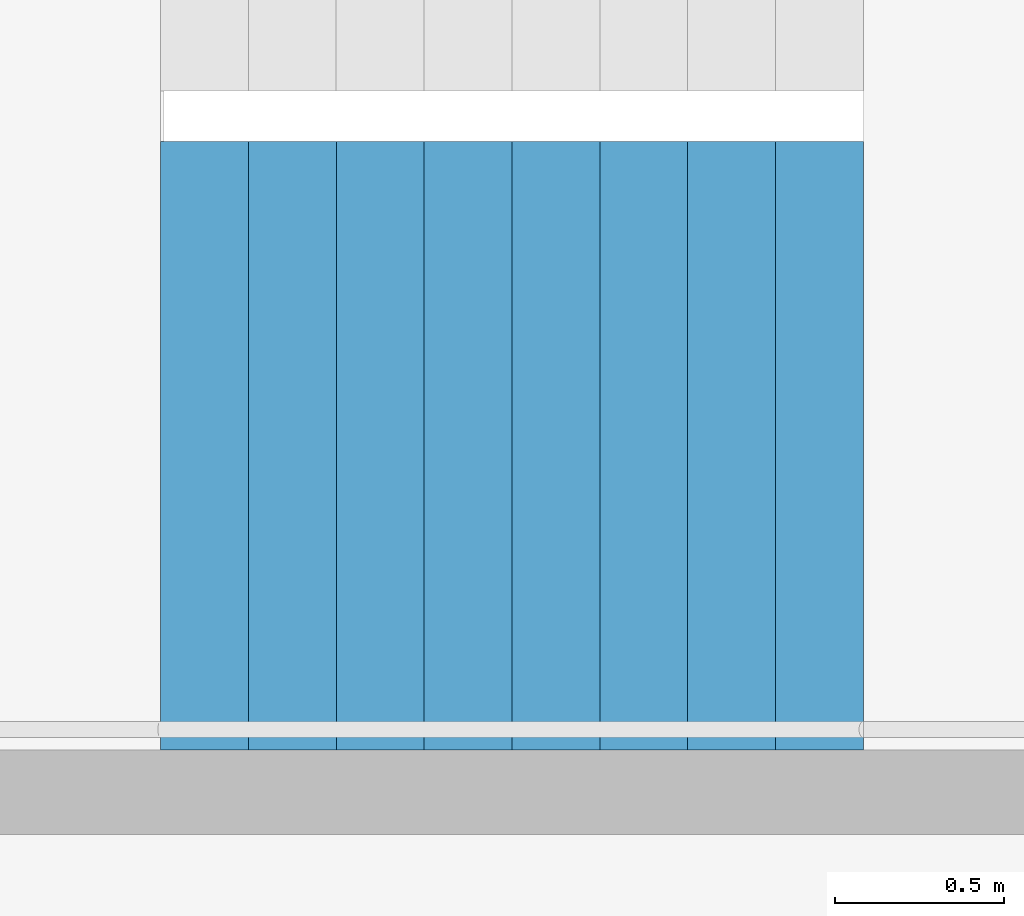
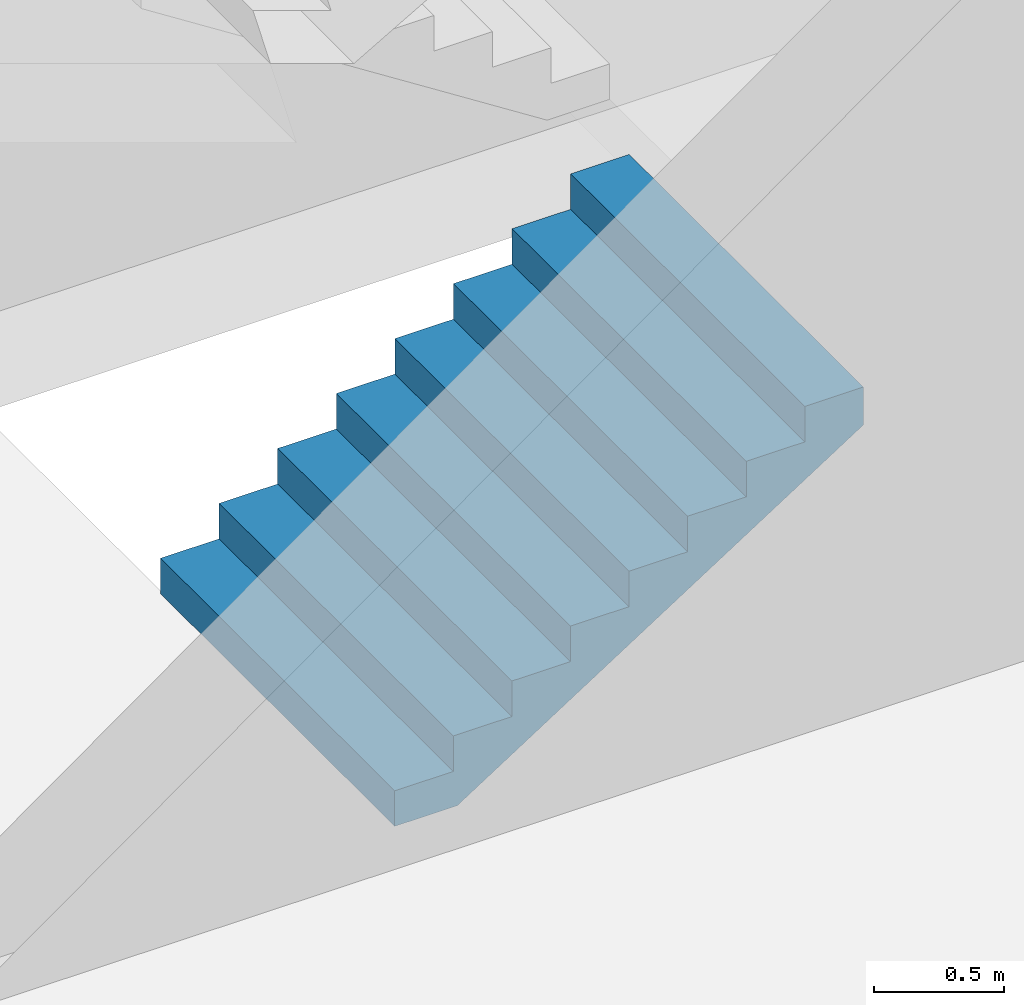
# One storey, part 22 of 35: 1 stair flight, 1 element without a shape of its own.
"""IFC4 building model written with IfcOpenShell, lengths in metres."""

from ifc_helpers import new_model, si_unit, direction, frame, origin, place, context, subcontext, project, spatial, triangles, material, type_object, element, aggregate, save


model = new_model("IFC4")

# Units and contexts
model_context = context("Model", 3, precision=1e-05, world=origin(), true_north=direction((0.0, 1.0)))
body_context = subcontext(model_context, "Body", "Model", "MODEL_VIEW")
ifc_project = project(units=[si_unit("LENGTHUNIT", "METRE"), si_unit("AREAUNIT", "SQUARE_METRE"), si_unit("VOLUMEUNIT", "CUBIC_METRE"), si_unit("PLANEANGLEUNIT", "RADIAN"), si_unit("MASSUNIT", "GRAM", prefix="KILO")], contexts=[model_context])

# Site, building, storey
site_placement = place(None, origin())
site = spatial("IfcSite", under=ifc_project, at=site_placement, CompositionType="ELEMENT")
building_placement = place(site_placement, origin())
building = spatial("IfcBuilding", under=site, at=building_placement, Name="Hakoniwa Tower and Hamabe Station Hall", CompositionType="ELEMENT")
storey_placement = place(building_placement, frame((0.0, 0.0, 264.60009765625)))
storey = spatial("IfcBuildingStorey", under=building, at=storey_placement, Name="L75", CompositionType="ELEMENT", Elevation=264.60009765625)

# Stair, stair flight
ifc_material_1 = material(Name="Concrete C40", Category="concrete")
stair_type = type_object("IfcStairType", Name="ESCAPE STAIR 1800", PredefinedType="HALF_TURN_STAIR", material=ifc_material_1)
stair_placement = place(storey_placement, origin())
stair = element("IfcStair", 1, at=stair_placement, inside=storey, type_object=stair_type, Name="Escape stair ST-1 L75", PredefinedType="HALF_TURN_STAIR")
ifc_material_2 = material(Name="Concrete C40", Category="concrete")
stair_flight_type = type_object("IfcStairFlightType", Name="STAIR FLIGHT 1800", PredefinedType="STRAIGHT", material=ifc_material_2)
stair_flight_placement = place(storey_placement, frame((-24.39990234375, 4.64990234375, 0.0), z_axis=(0.0, 0.0, 1.0), x_axis=(1.0, 0.0, 0.0)))
stair_flight = element("IfcStairFlight", 2, at=stair_flight_placement, type_object=stair_flight_type, Name="ST-1 flight 1", NumberOfRisers=9, NumberOfTreads=8, PredefinedType="STRAIGHT", RiserHeight=0.166666667, TreadLength=0.26, context=body_context, shape_type="Tessellation", body=[
    triangles([(0.0, 0.89990234375, 0.0), (0.260009765625, 0.89990234375, 0.0), (0.27783203125, 0.89990234375, 0.0), (0.52001953125, 0.89990234375, 0.1552734375), (0.780029296875, 0.89990234375, 0.322021484375), (1.0400390625, 0.89990234375, 0.488525390625), (1.300048828125, 0.89990234375, 0.6552734375), (1.56005859375, 0.89990234375, 0.822021484375), (1.820068359375, 0.89990234375, 0.988525390625), (2.080078125, 0.89990234375, 1.1552734375), (2.080078125, 0.89990234375, 1.333251953125), (1.820068359375, 0.89990234375, 1.333251953125), (1.820068359375, 0.89990234375, 1.166748046875), (1.56005859375, 0.89990234375, 1.166748046875), (1.56005859375, 0.89990234375, 1.0), (1.300048828125, 0.89990234375, 1.0), (1.300048828125, 0.89990234375, 0.833251953125), (1.0400390625, 0.89990234375, 0.833251953125), (1.0400390625, 0.89990234375, 0.666748046875), (0.780029296875, 0.89990234375, 0.666748046875), (0.780029296875, 0.89990234375, 0.5), (0.52001953125, 0.89990234375, 0.5), (0.52001953125, 0.89990234375, 0.333251953125), (0.27783203125, 0.89990234375, 0.333251953125), (0.260009765625, 0.89990234375, 0.333251953125), (0.260009765625, 0.89990234375, 0.166748046875), (0.0, 0.89990234375, 0.166748046875), (0.0, 0.06005859375, 0.0), (0.260009765625, 0.06005859375, 0.0), (0.27783203125, 0.06005859375, 0.0), (0.52001953125, 0.06005859375, 0.1552734375), (0.780029296875, 0.06005859375, 0.322021484375), (1.0400390625, 0.06005859375, 0.488525390625), (1.300048828125, 0.06005859375, 0.6552734375), (1.56005859375, 0.06005859375, 0.822021484375), (1.820068359375, 0.06005859375, 0.988525390625), (2.080078125, 0.06005859375, 1.1552734375), (2.080078125, 0.06005859375, 1.333251953125), (1.820068359375, 0.06005859375, 1.333251953125), (1.820068359375, 0.06005859375, 1.166748046875), (1.56005859375, 0.06005859375, 1.166748046875), (1.56005859375, 0.06005859375, 1.0), (1.300048828125, 0.06005859375, 1.0), (1.300048828125, 0.06005859375, 0.833251953125), (1.0400390625, 0.06005859375, 0.833251953125), (1.0400390625, 0.06005859375, 0.666748046875), (0.780029296875, 0.06005859375, 0.666748046875), (0.780029296875, 0.06005859375, 0.5), (0.52001953125, 0.06005859375, 0.5), (0.52001953125, 0.06005859375, 0.333251953125), (0.27783203125, 0.06005859375, 0.333251953125), (0.260009765625, 0.06005859375, 0.333251953125), (0.260009765625, 0.06005859375, 0.166748046875), (0.0, 0.06005859375, 0.166748046875), (0.0, 0.04296875, 0.0), (0.260009765625, 0.04296875, 0.0), (0.27783203125, 0.04296875, 0.0), (0.52001953125, 0.04296875, 0.1552734375), (0.780029296875, 0.04296875, 0.322021484375), (1.0400390625, 0.04296875, 0.488525390625), (1.300048828125, 0.04296875, 0.6552734375), (1.56005859375, 0.04296875, 0.822021484375), (1.820068359375, 0.04296875, 0.988525390625), (2.080078125, 0.04296875, 1.1552734375), (2.080078125, 0.04296875, 1.333251953125), (1.820068359375, 0.04296875, 1.333251953125), (1.820068359375, 0.04296875, 1.166748046875), (1.56005859375, 0.04296875, 1.166748046875), (1.56005859375, 0.04296875, 1.0), (1.300048828125, 0.04296875, 1.0), (1.300048828125, 0.04296875, 0.833251953125), (1.0400390625, 0.04296875, 0.833251953125), (1.0400390625, 0.04296875, 0.666748046875), (0.780029296875, 0.04296875, 0.666748046875), (0.780029296875, 0.04296875, 0.5), (0.52001953125, 0.04296875, 0.5), (0.52001953125, 0.04296875, 0.333251953125), (0.27783203125, 0.04296875, 0.333251953125), (0.260009765625, 0.04296875, 0.333251953125), (0.260009765625, 0.04296875, 0.166748046875), (0.0, 0.04296875, 0.166748046875), (0.0, 0.025634765625, 0.0), (0.260009765625, 0.025634765625, 0.0), (0.27783203125, 0.025634765625, 0.0), (0.52001953125, 0.025634765625, 0.1552734375), (0.780029296875, 0.025634765625, 0.322021484375), (1.0400390625, 0.025634765625, 0.488525390625), (1.300048828125, 0.025634765625, 0.6552734375), (1.56005859375, 0.025634765625, 0.822021484375), (1.820068359375, 0.025634765625, 0.988525390625), (2.080078125, 0.025634765625, 1.1552734375), (2.080078125, 0.025634765625, 1.333251953125), (1.820068359375, 0.025634765625, 1.333251953125), (1.820068359375, 0.025634765625, 1.166748046875), (1.56005859375, 0.025634765625, 1.166748046875), (1.56005859375, 0.025634765625, 1.0), (1.300048828125, 0.025634765625, 1.0), (1.300048828125, 0.025634765625, 0.833251953125), (1.0400390625, 0.025634765625, 0.833251953125), (1.0400390625, 0.025634765625, 0.666748046875), (0.780029296875, 0.025634765625, 0.666748046875), (0.780029296875, 0.025634765625, 0.5), (0.52001953125, 0.025634765625, 0.5), (0.52001953125, 0.025634765625, 0.333251953125), (0.27783203125, 0.025634765625, 0.333251953125), (0.260009765625, 0.025634765625, 0.333251953125), (0.260009765625, 0.025634765625, 0.166748046875), (0.0, 0.025634765625, 0.166748046875), (0.0, 0.008544921875, 0.0), (0.260009765625, 0.008544921875, 0.0), (0.27783203125, 0.008544921875, 0.0), (0.52001953125, 0.008544921875, 0.1552734375), (0.780029296875, 0.008544921875, 0.322021484375), (1.0400390625, 0.008544921875, 0.488525390625), (1.300048828125, 0.008544921875, 0.6552734375), (1.56005859375, 0.008544921875, 0.822021484375), (1.820068359375, 0.008544921875, 0.988525390625), (2.080078125, 0.008544921875, 1.1552734375), (2.080078125, 0.008544921875, 1.333251953125), (1.820068359375, 0.008544921875, 1.333251953125), (1.820068359375, 0.008544921875, 1.166748046875), (1.56005859375, 0.008544921875, 1.166748046875), (1.56005859375, 0.008544921875, 1.0), (1.300048828125, 0.008544921875, 1.0), (1.300048828125, 0.008544921875, 0.833251953125), (1.0400390625, 0.008544921875, 0.833251953125), (1.0400390625, 0.008544921875, 0.666748046875), (0.780029296875, 0.008544921875, 0.666748046875), (0.780029296875, 0.008544921875, 0.5), (0.52001953125, 0.008544921875, 0.5), (0.52001953125, 0.008544921875, 0.333251953125), (0.27783203125, 0.008544921875, 0.333251953125), (0.260009765625, 0.008544921875, 0.333251953125), (0.260009765625, 0.008544921875, 0.166748046875), (0.0, 0.008544921875, 0.166748046875), (0.0, -0.008544921875, 0.0), (0.260009765625, -0.008544921875, 0.0), (0.27783203125, -0.008544921875, 0.0), (0.52001953125, -0.008544921875, 0.1552734375), (0.780029296875, -0.008544921875, 0.322021484375), (1.0400390625, -0.008544921875, 0.488525390625), (1.300048828125, -0.008544921875, 0.6552734375), (1.56005859375, -0.008544921875, 0.822021484375), (1.820068359375, -0.008544921875, 0.988525390625), (2.080078125, -0.008544921875, 1.1552734375), (2.080078125, -0.008544921875, 1.333251953125), (1.820068359375, -0.008544921875, 1.333251953125), (1.820068359375, -0.008544921875, 1.166748046875), (1.56005859375, -0.008544921875, 1.166748046875), (1.56005859375, -0.008544921875, 1.0), (1.300048828125, -0.008544921875, 1.0), (1.300048828125, -0.008544921875, 0.833251953125), (1.0400390625, -0.008544921875, 0.833251953125), (1.0400390625, -0.008544921875, 0.666748046875), (0.780029296875, -0.008544921875, 0.666748046875), (0.780029296875, -0.008544921875, 0.5), (0.52001953125, -0.008544921875, 0.5), (0.52001953125, -0.008544921875, 0.333251953125), (0.27783203125, -0.008544921875, 0.333251953125), (0.260009765625, -0.008544921875, 0.333251953125), (0.260009765625, -0.008544921875, 0.166748046875), (0.0, -0.008544921875, 0.166748046875), (0.0, -0.025634765625, 0.0), (0.260009765625, -0.025634765625, 0.0), (0.27783203125, -0.025634765625, 0.0), (0.52001953125, -0.025634765625, 0.1552734375), (0.780029296875, -0.025634765625, 0.322021484375), (1.0400390625, -0.025634765625, 0.488525390625), (1.300048828125, -0.025634765625, 0.6552734375), (1.56005859375, -0.025634765625, 0.822021484375), (1.820068359375, -0.025634765625, 0.988525390625), (2.080078125, -0.025634765625, 1.1552734375), (2.080078125, -0.025634765625, 1.333251953125), (1.820068359375, -0.025634765625, 1.333251953125), (1.820068359375, -0.025634765625, 1.166748046875), (1.56005859375, -0.025634765625, 1.166748046875), (1.56005859375, -0.025634765625, 1.0), (1.300048828125, -0.025634765625, 1.0), (1.300048828125, -0.025634765625, 0.833251953125), (1.0400390625, -0.025634765625, 0.833251953125), (1.0400390625, -0.025634765625, 0.666748046875), (0.780029296875, -0.025634765625, 0.666748046875), (0.780029296875, -0.025634765625, 0.5), (0.52001953125, -0.025634765625, 0.5), (0.52001953125, -0.025634765625, 0.333251953125), (0.27783203125, -0.025634765625, 0.333251953125), (0.260009765625, -0.025634765625, 0.333251953125), (0.260009765625, -0.025634765625, 0.166748046875), (0.0, -0.025634765625, 0.166748046875), (0.0, -0.04296875, 0.0), (0.260009765625, -0.04296875, 0.0), (0.27783203125, -0.04296875, 0.0), (0.52001953125, -0.04296875, 0.1552734375), (0.780029296875, -0.04296875, 0.322021484375), (1.0400390625, -0.04296875, 0.488525390625), (1.300048828125, -0.04296875, 0.6552734375), (1.56005859375, -0.04296875, 0.822021484375), (1.820068359375, -0.04296875, 0.988525390625), (2.080078125, -0.04296875, 1.1552734375), (2.080078125, -0.04296875, 1.333251953125), (1.820068359375, -0.04296875, 1.333251953125), (1.820068359375, -0.04296875, 1.166748046875), (1.56005859375, -0.04296875, 1.166748046875), (1.56005859375, -0.04296875, 1.0), (1.300048828125, -0.04296875, 1.0), (1.300048828125, -0.04296875, 0.833251953125), (1.0400390625, -0.04296875, 0.833251953125), (1.0400390625, -0.04296875, 0.666748046875), (0.780029296875, -0.04296875, 0.666748046875), (0.780029296875, -0.04296875, 0.5), (0.52001953125, -0.04296875, 0.5), (0.52001953125, -0.04296875, 0.333251953125), (0.27783203125, -0.04296875, 0.333251953125), (0.260009765625, -0.04296875, 0.333251953125), (0.260009765625, -0.04296875, 0.166748046875), (0.0, -0.04296875, 0.166748046875), (0.0, -0.06005859375, 0.0), (0.260009765625, -0.06005859375, 0.0), (0.27783203125, -0.06005859375, 0.0), (0.52001953125, -0.06005859375, 0.1552734375), (0.780029296875, -0.06005859375, 0.322021484375), (1.0400390625, -0.06005859375, 0.488525390625), (1.300048828125, -0.06005859375, 0.6552734375), (1.56005859375, -0.06005859375, 0.822021484375), (1.820068359375, -0.06005859375, 0.988525390625), (2.080078125, -0.06005859375, 1.1552734375), (2.080078125, -0.06005859375, 1.333251953125), (1.820068359375, -0.06005859375, 1.333251953125), (1.820068359375, -0.06005859375, 1.166748046875), (1.56005859375, -0.06005859375, 1.166748046875), (1.56005859375, -0.06005859375, 1.0), (1.300048828125, -0.06005859375, 1.0), (1.300048828125, -0.06005859375, 0.833251953125), (1.0400390625, -0.06005859375, 0.833251953125), (1.0400390625, -0.06005859375, 0.666748046875), (0.780029296875, -0.06005859375, 0.666748046875), (0.780029296875, -0.06005859375, 0.5), (0.52001953125, -0.06005859375, 0.5), (0.52001953125, -0.06005859375, 0.333251953125), (0.27783203125, -0.06005859375, 0.333251953125), (0.260009765625, -0.06005859375, 0.333251953125), (0.260009765625, -0.06005859375, 0.166748046875), (0.0, -0.06005859375, 0.166748046875), (0.0, -0.89990234375, 0.0), (0.260009765625, -0.89990234375, 0.0), (0.27783203125, -0.89990234375, 0.0), (0.52001953125, -0.89990234375, 0.1552734375), (0.780029296875, -0.89990234375, 0.322021484375), (1.0400390625, -0.89990234375, 0.488525390625), (1.300048828125, -0.89990234375, 0.6552734375), (1.56005859375, -0.89990234375, 0.822021484375), (1.820068359375, -0.89990234375, 0.988525390625), (2.080078125, -0.89990234375, 1.1552734375), (2.080078125, -0.89990234375, 1.333251953125), (1.820068359375, -0.89990234375, 1.333251953125), (1.820068359375, -0.89990234375, 1.166748046875), (1.56005859375, -0.89990234375, 1.166748046875), (1.56005859375, -0.89990234375, 1.0), (1.300048828125, -0.89990234375, 1.0), (1.300048828125, -0.89990234375, 0.833251953125), (1.0400390625, -0.89990234375, 0.833251953125), (1.0400390625, -0.89990234375, 0.666748046875), (0.780029296875, -0.89990234375, 0.666748046875), (0.780029296875, -0.89990234375, 0.5), (0.52001953125, -0.89990234375, 0.5), (0.52001953125, -0.89990234375, 0.333251953125), (0.27783203125, -0.89990234375, 0.333251953125), (0.260009765625, -0.89990234375, 0.333251953125), (0.260009765625, -0.89990234375, 0.166748046875), (0.0, -0.89990234375, 0.166748046875)], [[2, 27, 26], [245, 269, 270], [2, 1, 27], [245, 270, 244], [3, 25, 24], [246, 267, 268], [3, 26, 25], [246, 268, 269], [3, 2, 26], [246, 269, 245], [4, 24, 23], [247, 266, 267], [4, 3, 24], [247, 267, 246], [5, 22, 21], [248, 264, 265], [5, 23, 22], [248, 265, 266], [5, 4, 23], [248, 266, 247], [6, 20, 19], [249, 262, 263], [6, 21, 20], [249, 263, 264], [6, 5, 21], [249, 264, 248], [7, 18, 17], [250, 260, 261], [7, 19, 18], [250, 261, 262], [7, 6, 19], [250, 262, 249], [8, 16, 15], [251, 258, 259], [8, 17, 16], [251, 259, 260], [8, 7, 17], [251, 260, 250], [9, 14, 13], [252, 256, 257], [9, 15, 14], [252, 257, 258], [9, 8, 15], [252, 258, 251], [10, 12, 11], [253, 254, 255], [10, 13, 12], [253, 255, 256], [10, 9, 13], [253, 256, 252], [1, 2, 29], [1, 29, 28], [28, 29, 56], [28, 56, 55], [55, 56, 83], [55, 83, 82], [82, 83, 110], [82, 110, 109], [109, 110, 137], [109, 137, 136], [136, 137, 164], [136, 164, 163], [163, 164, 191], [163, 191, 190], [190, 191, 218], [190, 218, 217], [217, 218, 245], [217, 245, 244], [2, 3, 30], [2, 30, 29], [29, 30, 57], [29, 57, 56], [56, 57, 84], [56, 84, 83], [83, 84, 111], [83, 111, 110], [110, 111, 138], [110, 138, 137], [137, 138, 165], [137, 165, 164], [164, 165, 192], [164, 192, 191], [191, 192, 219], [191, 219, 218], [218, 219, 246], [218, 246, 245], [3, 4, 31], [3, 31, 30], [30, 31, 58], [30, 58, 57], [57, 58, 85], [57, 85, 84], [84, 85, 112], [84, 112, 111], [111, 112, 139], [111, 139, 138], [138, 139, 166], [138, 166, 165], [165, 166, 193], [165, 193, 192], [192, 193, 220], [192, 220, 219], [219, 220, 247], [219, 247, 246], [4, 5, 32], [4, 32, 31], [31, 32, 59], [31, 59, 58], [58, 59, 86], [58, 86, 85], [85, 86, 113], [85, 113, 112], [112, 113, 140], [112, 140, 139], [139, 140, 167], [139, 167, 166], [166, 167, 194], [166, 194, 193], [193, 194, 221], [193, 221, 220], [220, 221, 248], [220, 248, 247], [5, 6, 33], [5, 33, 32], [32, 33, 60], [32, 60, 59], [59, 60, 87], [59, 87, 86], [86, 87, 114], [86, 114, 113], [113, 114, 141], [113, 141, 140], [140, 141, 168], [140, 168, 167], [167, 168, 195], [167, 195, 194], [194, 195, 222], [194, 222, 221], [221, 222, 249], [221, 249, 248], [6, 7, 34], [6, 34, 33], [33, 34, 61], [33, 61, 60], [60, 61, 88], [60, 88, 87], [87, 88, 115], [87, 115, 114], [114, 115, 142], [114, 142, 141], [141, 142, 169], [141, 169, 168], [168, 169, 196], [168, 196, 195], [195, 196, 223], [195, 223, 222], [222, 223, 250], [222, 250, 249], [7, 8, 35], [7, 35, 34], [34, 35, 62], [34, 62, 61], [61, 62, 89], [61, 89, 88], [88, 89, 116], [88, 116, 115], [115, 116, 143], [115, 143, 142], [142, 143, 170], [142, 170, 169], [169, 170, 197], [169, 197, 196], [196, 197, 224], [196, 224, 223], [223, 224, 251], [223, 251, 250], [8, 9, 36], [8, 36, 35], [35, 36, 63], [35, 63, 62], [62, 63, 90], [62, 90, 89], [89, 90, 117], [89, 117, 116], [116, 117, 144], [116, 144, 143], [143, 144, 171], [143, 171, 170], [170, 171, 198], [170, 198, 197], [197, 198, 225], [197, 225, 224], [224, 225, 252], [224, 252, 251], [9, 10, 37], [9, 37, 36], [36, 37, 64], [36, 64, 63], [63, 64, 91], [63, 91, 90], [90, 91, 118], [90, 118, 117], [117, 118, 145], [117, 145, 144], [144, 145, 172], [144, 172, 171], [171, 172, 199], [171, 199, 198], [198, 199, 226], [198, 226, 225], [225, 226, 253], [225, 253, 252], [10, 11, 38], [10, 38, 37], [37, 38, 65], [37, 65, 64], [64, 65, 92], [64, 92, 91], [91, 92, 119], [91, 119, 118], [118, 119, 146], [118, 146, 145], [145, 146, 173], [145, 173, 172], [172, 173, 200], [172, 200, 199], [199, 200, 227], [199, 227, 226], [226, 227, 254], [226, 254, 253], [11, 12, 39], [11, 39, 38], [38, 39, 66], [38, 66, 65], [65, 66, 93], [65, 93, 92], [92, 93, 120], [92, 120, 119], [119, 120, 147], [119, 147, 146], [146, 147, 174], [146, 174, 173], [173, 174, 201], [173, 201, 200], [200, 201, 228], [200, 228, 227], [227, 228, 255], [227, 255, 254], [12, 13, 40], [12, 40, 39], [39, 40, 67], [39, 67, 66], [66, 67, 94], [66, 94, 93], [93, 94, 121], [93, 121, 120], [120, 121, 148], [120, 148, 147], [147, 148, 175], [147, 175, 174], [174, 175, 202], [174, 202, 201], [201, 202, 229], [201, 229, 228], [228, 229, 256], [228, 256, 255], [13, 14, 41], [13, 41, 40], [40, 41, 68], [40, 68, 67], [67, 68, 95], [67, 95, 94], [94, 95, 122], [94, 122, 121], [121, 122, 149], [121, 149, 148], [148, 149, 176], [148, 176, 175], [175, 176, 203], [175, 203, 202], [202, 203, 230], [202, 230, 229], [229, 230, 257], [229, 257, 256], [14, 15, 42], [14, 42, 41], [41, 42, 69], [41, 69, 68], [68, 69, 96], [68, 96, 95], [95, 96, 123], [95, 123, 122], [122, 123, 150], [122, 150, 149], [149, 150, 177], [149, 177, 176], [176, 177, 204], [176, 204, 203], [203, 204, 231], [203, 231, 230], [230, 231, 258], [230, 258, 257], [15, 16, 43], [15, 43, 42], [42, 43, 70], [42, 70, 69], [69, 70, 97], [69, 97, 96], [96, 97, 124], [96, 124, 123], [123, 124, 151], [123, 151, 150], [150, 151, 178], [150, 178, 177], [177, 178, 205], [177, 205, 204], [204, 205, 232], [204, 232, 231], [231, 232, 259], [231, 259, 258], [16, 17, 44], [16, 44, 43], [43, 44, 71], [43, 71, 70], [70, 71, 98], [70, 98, 97], [97, 98, 125], [97, 125, 124], [124, 125, 152], [124, 152, 151], [151, 152, 179], [151, 179, 178], [178, 179, 206], [178, 206, 205], [205, 206, 233], [205, 233, 232], [232, 233, 260], [232, 260, 259], [17, 18, 45], [17, 45, 44], [44, 45, 72], [44, 72, 71], [71, 72, 99], [71, 99, 98], [98, 99, 126], [98, 126, 125], [125, 126, 153], [125, 153, 152], [152, 153, 180], [152, 180, 179], [179, 180, 207], [179, 207, 206], [206, 207, 234], [206, 234, 233], [233, 234, 261], [233, 261, 260], [18, 19, 46], [18, 46, 45], [45, 46, 73], [45, 73, 72], [72, 73, 100], [72, 100, 99], [99, 100, 127], [99, 127, 126], [126, 127, 154], [126, 154, 153], [153, 154, 181], [153, 181, 180], [180, 181, 208], [180, 208, 207], [207, 208, 235], [207, 235, 234], [234, 235, 262], [234, 262, 261], [19, 20, 47], [19, 47, 46], [46, 47, 74], [46, 74, 73], [73, 74, 101], [73, 101, 100], [100, 101, 128], [100, 128, 127], [127, 128, 155], [127, 155, 154], [154, 155, 182], [154, 182, 181], [181, 182, 209], [181, 209, 208], [208, 209, 236], [208, 236, 235], [235, 236, 263], [235, 263, 262], [20, 21, 48], [20, 48, 47], [47, 48, 75], [47, 75, 74], [74, 75, 102], [74, 102, 101], [101, 102, 129], [101, 129, 128], [128, 129, 156], [128, 156, 155], [155, 156, 183], [155, 183, 182], [182, 183, 210], [182, 210, 209], [209, 210, 237], [209, 237, 236], [236, 237, 264], [236, 264, 263], [21, 22, 49], [21, 49, 48], [48, 49, 76], [48, 76, 75], [75, 76, 103], [75, 103, 102], [102, 103, 130], [102, 130, 129], [129, 130, 157], [129, 157, 156], [156, 157, 184], [156, 184, 183], [183, 184, 211], [183, 211, 210], [210, 211, 238], [210, 238, 237], [237, 238, 265], [237, 265, 264], [22, 23, 50], [22, 50, 49], [49, 50, 77], [49, 77, 76], [76, 77, 104], [76, 104, 103], [103, 104, 131], [103, 131, 130], [130, 131, 158], [130, 158, 157], [157, 158, 185], [157, 185, 184], [184, 185, 212], [184, 212, 211], [211, 212, 239], [211, 239, 238], [238, 239, 266], [238, 266, 265], [23, 24, 51], [23, 51, 50], [50, 51, 78], [50, 78, 77], [77, 78, 105], [77, 105, 104], [104, 105, 132], [104, 132, 131], [131, 132, 159], [131, 159, 158], [158, 159, 186], [158, 186, 185], [185, 186, 213], [185, 213, 212], [212, 213, 240], [212, 240, 239], [239, 240, 267], [239, 267, 266], [24, 25, 52], [24, 52, 51], [51, 52, 79], [51, 79, 78], [78, 79, 106], [78, 106, 105], [105, 106, 133], [105, 133, 132], [132, 133, 160], [132, 160, 159], [159, 160, 187], [159, 187, 186], [186, 187, 214], [186, 214, 213], [213, 214, 241], [213, 241, 240], [240, 241, 268], [240, 268, 267], [25, 26, 53], [25, 53, 52], [52, 53, 80], [52, 80, 79], [79, 80, 107], [79, 107, 106], [106, 107, 134], [106, 134, 133], [133, 134, 161], [133, 161, 160], [160, 161, 188], [160, 188, 187], [187, 188, 215], [187, 215, 214], [214, 215, 242], [214, 242, 241], [241, 242, 269], [241, 269, 268], [26, 27, 54], [26, 54, 53], [53, 54, 81], [53, 81, 80], [80, 81, 108], [80, 108, 107], [107, 108, 135], [107, 135, 134], [134, 135, 162], [134, 162, 161], [161, 162, 189], [161, 189, 188], [188, 189, 216], [188, 216, 215], [215, 216, 243], [215, 243, 242], [242, 243, 270], [242, 270, 269], [27, 1, 28], [27, 28, 54], [54, 28, 55], [54, 55, 81], [81, 55, 82], [81, 82, 108], [108, 82, 109], [108, 109, 135], [135, 109, 136], [135, 136, 162], [162, 136, 163], [162, 163, 189], [189, 163, 190], [189, 190, 216], [216, 190, 217], [216, 217, 243], [243, 217, 244], [243, 244, 270]], closed=True),
])
aggregate(stair, [stair_flight])

save(model, "model.ifc")
